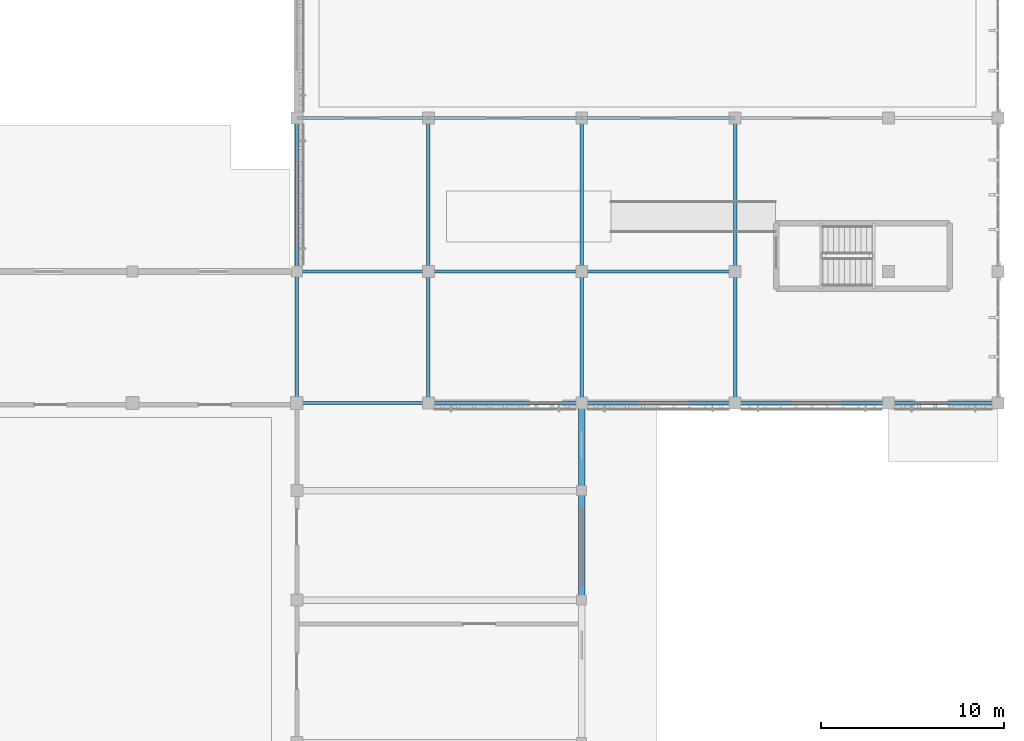
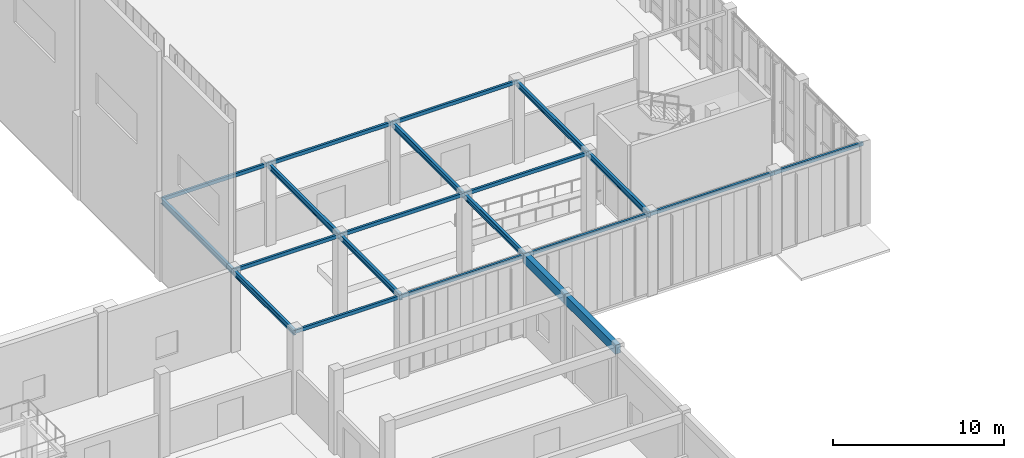
# One storey, part 50 of 110: 21 beams.
"""IFC4 building model written with IfcOpenShell, lengths in metres."""

from ifc_helpers import new_model, si_unit, direction, frame, origin, origin_2d, place, context, subcontext, project, spatial, rectangle, hollow_rectangle, i_section, extrude, material, material_profile, profile_set, type_object, element, save


model = new_model("IFC4")

# Units and contexts
model_context = context("Model", 3, precision=1e-05, world=origin(), true_north=direction((0.0, 1.0)))
body_context = subcontext(model_context, "Body", "Model", "MODEL_VIEW")
ifc_project = project(units=[si_unit("LENGTHUNIT", "METRE"), si_unit("AREAUNIT", "SQUARE_METRE"), si_unit("VOLUMEUNIT", "CUBIC_METRE"), si_unit("PLANEANGLEUNIT", "RADIAN"), si_unit("MASSUNIT", "GRAM", prefix="KILO")], contexts=[model_context])

# Site, building, storey
site_placement = place(None, origin())
site = spatial("IfcSite", under=ifc_project, at=site_placement, CompositionType="ELEMENT")
building_placement = place(site_placement, origin())
building = spatial("IfcBuilding", under=site, at=building_placement, Name="Tizgana Railside Sports Hall", CompositionType="ELEMENT")
storey_placement = place(building_placement, origin())
storey = spatial("IfcBuildingStorey", under=building, at=storey_placement, Name="L00", CompositionType="ELEMENT", Elevation=0.0)

# Beams
ifc_material_1 = material(Name="Concrete C35/45", Category="concrete")
ifc_material_profile_1 = material_profile(ifc_material_1, rectangle(XDim=0.35009765625, YDim=0.64990234375, at=origin_2d()), Name="RCB 350x650")
ifc_profile_set_1 = profile_set([ifc_material_profile_1], Name="Concrete C35/45")
beam_type_1 = type_object("IfcBeamType", Name="Concrete Beam RCB 350x650", PredefinedType="BEAM", material=ifc_profile_set_1)
beam_1_placement = place(storey_placement, frame((149.39990234375, 62.39990234375, 5.450927734375), z_axis=(0.0, 1.0, 0.0), x_axis=(-1.0, 0.0, 0.0)))
element("IfcBeam", 1, at=beam_1_placement, inside=storey, type_object=beam_type_1, Name="L00 BEM-1379", PredefinedType="BEAM", context=body_context, shape_type="SweptSolid", body=[
    extrude(rectangle(XDim=0.35009765625, YDim=0.64990234375, at=origin_2d()), origin(), (0.0, 0.0, 1.0), 6.0),
])
beam_2_placement = place(storey_placement, frame((149.39990234375, 68.39990234375, 5.44091796875), z_axis=(0.0, 1.0, 0.0), x_axis=(-1.0, 0.0, 0.0)))
element("IfcBeam", 2, at=beam_2_placement, inside=storey, type_object=beam_type_1, Name="L00 BEM-1380", PredefinedType="BEAM", context=body_context, shape_type="SweptSolid", body=[
    extrude(rectangle(XDim=0.35009765625, YDim=0.64990234375, at=origin_2d()), origin(), (0.0, 0.0, 1.0), 4.800048828125),
])
ifc_material_2 = material(Name="Steel S355J2", Category="steel")
ifc_material_profile_2 = material_profile(ifc_material_2, i_section(OverallWidth=0.179931640625, OverallDepth=0.39990234375, WebThickness=0.008544921875, FlangeThickness=0.013427734375, FilletRadius=0.02099609375, at=origin_2d()), Name="IPE 400")
ifc_profile_set_2 = profile_set([ifc_material_profile_2], Name="Steel S355J2")
beam_type_2 = type_object("IfcBeamType", Name="Steel Beam IPE 400", PredefinedType="BEAM", material=ifc_profile_set_2)
beam_3_placement = place(storey_placement, frame((133.800048828125, 73.199951171875, 5.56494140625), z_axis=(0.0, 1.0, 0.0), x_axis=(-1.0, 0.0, 0.0)))
element("IfcBeam", 3, at=beam_3_placement, inside=storey, type_object=beam_type_2, Name="L00 BEM-1153", PredefinedType="BEAM", context=body_context, shape_type="SweptSolid", body=[
    extrude(i_section(OverallWidth=0.179931640625, OverallDepth=0.39990234375, WebThickness=0.008544921875, FlangeThickness=0.013427734375, FilletRadius=0.02099609375, at=origin_2d()), origin(), (0.0, 0.0, 1.0), 7.199951171875),
])
beam_4_placement = place(storey_placement, frame((133.800048828125, 80.39990234375, 5.56494140625), z_axis=(0.0, 1.0, 0.0), x_axis=(-1.0, 0.0, 0.0)))
element("IfcBeam", 4, at=beam_4_placement, inside=storey, type_object=beam_type_2, Name="L00 BEM-1155", PredefinedType="BEAM", context=body_context, shape_type="SweptSolid", body=[
    extrude(i_section(OverallWidth=0.179931640625, OverallDepth=0.39990234375, WebThickness=0.008544921875, FlangeThickness=0.013427734375, FilletRadius=0.02099609375, at=origin_2d()), origin(), (0.0, 0.0, 1.0), 8.400146484375),
])
beam_5_placement = place(storey_placement, frame((141.0, 73.199951171875, 5.56494140625), z_axis=(0.0, 1.0, 0.0), x_axis=(-1.0, 0.0, 0.0)))
element("IfcBeam", 5, at=beam_5_placement, inside=storey, type_object=beam_type_2, Name="L00 BEM-1157", PredefinedType="BEAM", context=body_context, shape_type="SweptSolid", body=[
    extrude(i_section(OverallWidth=0.179931640625, OverallDepth=0.39990234375, WebThickness=0.008544921875, FlangeThickness=0.013427734375, FilletRadius=0.02099609375, at=origin_2d()), origin(), (0.0, 0.0, 1.0), 7.199951171875),
])
beam_6_placement = place(storey_placement, frame((141.0, 80.39990234375, 5.56494140625), z_axis=(0.0, 1.0, 0.0), x_axis=(-1.0, 0.0, 0.0)))
element("IfcBeam", 6, at=beam_6_placement, inside=storey, type_object=beam_type_2, Name="L00 BEM-1159", PredefinedType="BEAM", context=body_context, shape_type="SweptSolid", body=[
    extrude(i_section(OverallWidth=0.179931640625, OverallDepth=0.39990234375, WebThickness=0.008544921875, FlangeThickness=0.013427734375, FilletRadius=0.02099609375, at=origin_2d()), origin(), (0.0, 0.0, 1.0), 8.400146484375),
])
beam_7_placement = place(storey_placement, frame((149.39990234375, 73.199951171875, 5.56494140625), z_axis=(0.0, 1.0, 0.0), x_axis=(-1.0, 0.0, 0.0)))
element("IfcBeam", 7, at=beam_7_placement, inside=storey, type_object=beam_type_2, Name="L00 BEM-1161", PredefinedType="BEAM", context=body_context, shape_type="SweptSolid", body=[
    extrude(i_section(OverallWidth=0.179931640625, OverallDepth=0.39990234375, WebThickness=0.008544921875, FlangeThickness=0.013427734375, FilletRadius=0.02099609375, at=origin_2d()), origin(), (0.0, 0.0, 1.0), 7.199951171875),
])
beam_8_placement = place(storey_placement, frame((149.39990234375, 80.39990234375, 5.56494140625), z_axis=(0.0, 1.0, 0.0), x_axis=(-1.0, 0.0, 0.0)))
element("IfcBeam", 8, at=beam_8_placement, inside=storey, type_object=beam_type_2, Name="L00 BEM-1163", PredefinedType="BEAM", context=body_context, shape_type="SweptSolid", body=[
    extrude(i_section(OverallWidth=0.179931640625, OverallDepth=0.39990234375, WebThickness=0.008544921875, FlangeThickness=0.013427734375, FilletRadius=0.02099609375, at=origin_2d()), origin(), (0.0, 0.0, 1.0), 8.400146484375),
])
beam_9_placement = place(storey_placement, frame((157.800048828125, 73.199951171875, 5.56494140625), z_axis=(0.0, 1.0, 0.0), x_axis=(-1.0, 0.0, 0.0)))
element("IfcBeam", 9, at=beam_9_placement, inside=storey, type_object=beam_type_2, Name="L00 BEM-1165", PredefinedType="BEAM", context=body_context, shape_type="SweptSolid", body=[
    extrude(i_section(OverallWidth=0.179931640625, OverallDepth=0.39990234375, WebThickness=0.008544921875, FlangeThickness=0.013427734375, FilletRadius=0.02099609375, at=origin_2d()), origin(), (0.0, 0.0, 1.0), 7.199951171875),
])
beam_10_placement = place(storey_placement, frame((157.800048828125, 80.39990234375, 5.56494140625), z_axis=(0.0, 1.0, 0.0), x_axis=(-1.0, 0.0, 0.0)))
element("IfcBeam", 10, at=beam_10_placement, inside=storey, type_object=beam_type_2, Name="L00 BEM-1167", PredefinedType="BEAM", context=body_context, shape_type="SweptSolid", body=[
    extrude(i_section(OverallWidth=0.179931640625, OverallDepth=0.39990234375, WebThickness=0.008544921875, FlangeThickness=0.013427734375, FilletRadius=0.02099609375, at=origin_2d()), origin(), (0.0, 0.0, 1.0), 8.400146484375),
])
ifc_material_profile_3 = material_profile(ifc_material_2, hollow_rectangle(XDim=0.14990234375, YDim=0.25, WallThickness=0.010009765625, at=origin_2d()), Name="RHS 250x150x10")
ifc_profile_set_3 = profile_set([ifc_material_profile_3], Name="Steel S355J2")
beam_type_3 = type_object("IfcBeamType", Name="Steel Spandrel RHS 250x150x10", PredefinedType="SPANDREL", material=ifc_profile_set_3)
for number, where, z_axis, x_axis, name in (
    (11, (133.800048828125, 73.199951171875, 5.639892578125), (1.0, 0.0, 0.0), (0.0, 1.0, 0.0), "L00 BEM-1173"),
    (12, (133.800048828125, 80.39990234375, 5.639892578125), (1.0, 0.0, 0.0), (0.0, 1.0, 0.0), "L00 BEM-1175"),
    (13, (133.800048828125, 88.800048828125, 5.639892578125), (1.0, 0.0, 0.0), (0.0, 1.0, 0.0), "L00 BEM-1177"),
):
    element("IfcBeam", number, at=place(storey_placement, frame(where, z_axis=z_axis, x_axis=x_axis)), inside=storey, type_object=beam_type_3, Name=name, PredefinedType="SPANDREL", context=body_context, shape_type="SweptSolid", body=[
        extrude(hollow_rectangle(XDim=0.14990234375, YDim=0.25, WallThickness=0.010009765625, at=origin_2d()), origin(), (0.0, 0.0, 1.0), 7.199951171875),
    ])
for number, where, z_axis, x_axis, name in (
    (14, (141.0, 73.199951171875, 5.639892578125), (1.0, 0.0, 0.0), (0.0, 1.0, 0.0), "L00 BEM-1179"),
    (15, (141.0, 80.39990234375, 5.639892578125), (1.0, 0.0, 0.0), (0.0, 1.0, 0.0), "L00 BEM-1181"),
    (16, (141.0, 88.800048828125, 5.639892578125), (1.0, 0.0, 0.0), (0.0, 1.0, 0.0), "L00 BEM-1183"),
):
    element("IfcBeam", number, at=place(storey_placement, frame(where, z_axis=z_axis, x_axis=x_axis)), inside=storey, type_object=beam_type_3, Name=name, PredefinedType="SPANDREL", context=body_context, shape_type="SweptSolid", body=[
        extrude(hollow_rectangle(XDim=0.14990234375, YDim=0.25, WallThickness=0.010009765625, at=origin_2d()), origin(), (0.0, 0.0, 1.0), 8.39990234375),
    ])
for number, where, z_axis, x_axis, name in (
    (17, (149.39990234375, 73.199951171875, 5.639892578125), (1.0, 0.0, 0.0), (0.0, 1.0, 0.0), "L00 BEM-1185"),
    (18, (149.39990234375, 80.39990234375, 5.639892578125), (1.0, 0.0, 0.0), (0.0, 1.0, 0.0), "L00 BEM-1187"),
    (19, (149.39990234375, 88.800048828125, 5.639892578125), (1.0, 0.0, 0.0), (0.0, 1.0, 0.0), "L00 BEM-1189"),
):
    element("IfcBeam", number, at=place(storey_placement, frame(where, z_axis=z_axis, x_axis=x_axis)), inside=storey, type_object=beam_type_3, Name=name, PredefinedType="SPANDREL", context=body_context, shape_type="SweptSolid", body=[
        extrude(hollow_rectangle(XDim=0.14990234375, YDim=0.25, WallThickness=0.010009765625, at=origin_2d()), origin(), (0.0, 0.0, 1.0), 8.400146484375),
    ])
beam_11_placement = place(storey_placement, frame((157.800048828125, 73.199951171875, 5.639892578125), z_axis=(1.0, 0.0, 0.0), x_axis=(0.0, 1.0, 0.0)))
element("IfcBeam", 20, at=beam_11_placement, inside=storey, type_object=beam_type_3, Name="L00 BEM-1191", PredefinedType="SPANDREL", context=body_context, shape_type="SweptSolid", body=[
    extrude(hollow_rectangle(XDim=0.14990234375, YDim=0.25, WallThickness=0.010009765625, at=origin_2d()), origin(), (0.0, 0.0, 1.0), 8.39990234375),
])
beam_12_placement = place(storey_placement, frame((166.199951171875, 73.199951171875, 5.639892578125), z_axis=(1.0, 0.0, 0.0), x_axis=(0.0, 1.0, 0.0)))
element("IfcBeam", 21, at=beam_12_placement, inside=storey, type_object=beam_type_3, Name="L00 BEM-1195", PredefinedType="SPANDREL", context=body_context, shape_type="SweptSolid", body=[
    extrude(hollow_rectangle(XDim=0.14990234375, YDim=0.25, WallThickness=0.010009765625, at=origin_2d()), origin(), (0.0, 0.0, 1.0), 6.0),
])

save(model, "model.ifc")
